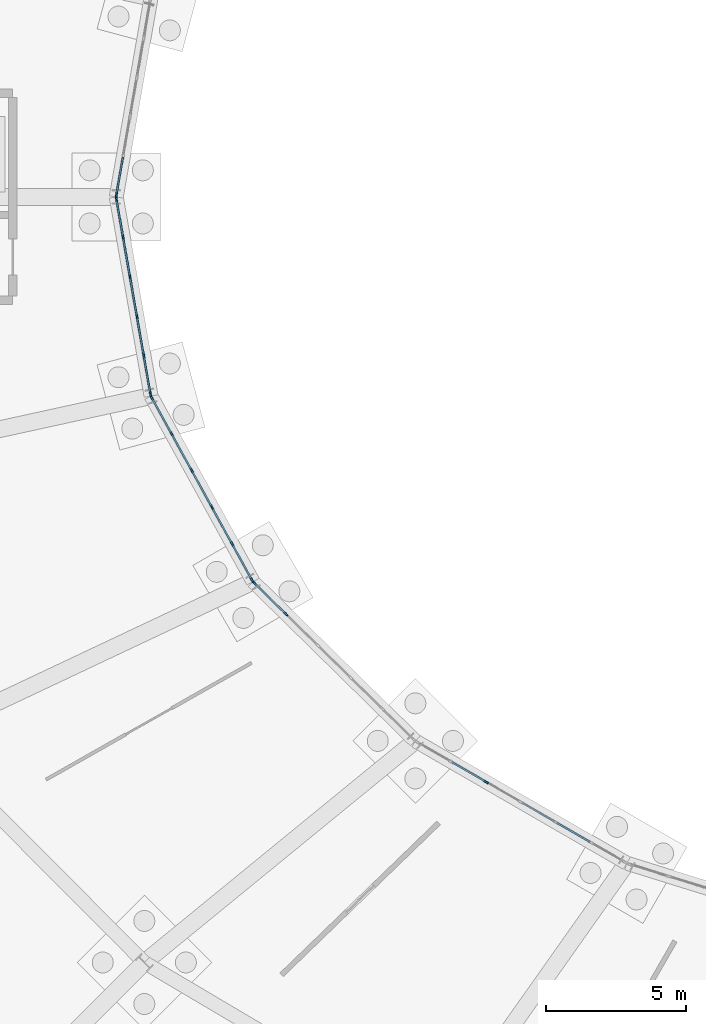
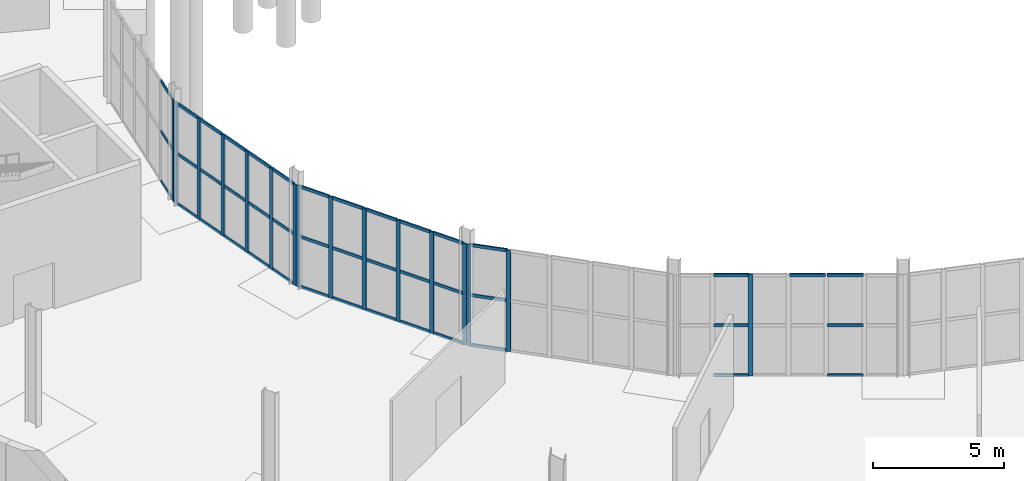
# One storey, part 57 of 118: 59 members, 5 elements without a shape of their own.
"""IFC4 building model written with IfcOpenShell, lengths in metres."""

from ifc_helpers import new_model, si_unit, direction, frame, origin, origin_2d, place, context, subcontext, project, spatial, rectangle, extrude, material, material_profile, profile_set, type_object, element, aggregate, save


model = new_model("IFC4")

# Units and contexts
model_context = context("Model", 3, precision=1e-05, world=origin(), true_north=direction((0.0, 1.0)))
body_context = subcontext(model_context, "Body", "Model", "MODEL_VIEW")
ifc_project = project(units=[si_unit("LENGTHUNIT", "METRE"), si_unit("AREAUNIT", "SQUARE_METRE"), si_unit("VOLUMEUNIT", "CUBIC_METRE"), si_unit("PLANEANGLEUNIT", "RADIAN"), si_unit("MASSUNIT", "GRAM", prefix="KILO")], contexts=[model_context])

# Site, building, storey
site_placement = place(None, origin())
site = spatial("IfcSite", under=ifc_project, at=site_placement, CompositionType="ELEMENT")
building_placement = place(site_placement, origin())
building = spatial("IfcBuilding", under=site, at=building_placement, Name="Kildeholm Park Wholesale Market", CompositionType="ELEMENT")
storey_placement = place(building_placement, origin())
storey = spatial("IfcBuildingStorey", under=building, at=storey_placement, Name="L00", CompositionType="ELEMENT", Elevation=0.0)

# Curtain wall, member
ifc_material_1 = material(Name="Anodised aluminium and low-E double-glazed glass", Category="aluminium")
curtain_wall_type = type_object("IfcCurtainWallType", Name="Market hall glazed arcade stick curtain wall CW-01", PredefinedType="NOTDEFINED", material=ifc_material_1)
curtain_wall_1_placement = place(storey_placement, origin())
curtain_wall_1 = element("IfcCurtainWall", 1, at=curtain_wall_1_placement, inside=storey, type_object=curtain_wall_type, Name="Curtain wall CW-V1-IN0-11 CW-0056", PredefinedType="NOTDEFINED")
ifc_material_2 = material(Name="Anodised aluminium", Category="aluminium")
ifc_material_profile_1 = material_profile(ifc_material_2, rectangle(XDim=0.06494140625, YDim=0.179931640625, at=origin_2d()), Name="CWM 65x180")
ifc_profile_set_1 = profile_set([ifc_material_profile_1], Name="Anodised aluminium")
member_type_1 = type_object("IfcMemberType", Name="Curtain-wall mullion CWM-1 CWM 65x180", PredefinedType="MULLION", material=ifc_profile_set_1)
member_1_placement = place(storey_placement, frame((62.505615234375, 89.572021484375, 0.0), z_axis=(0.0, 0.0, 1.0), x_axis=(0.985073802851, -0.172132515628, 0.0)))
member_1 = element("IfcMember", 2, at=member_1_placement, type_object=member_type_1, Name="CW-01 mullion 6 MEM-1938", PredefinedType="MULLION", context=body_context, shape_type="SweptSolid", body=[
    extrude(rectangle(XDim=0.06494140625, YDim=0.179931640625, at=origin_2d()), origin(), (0.0, 0.0, 1.0), 4.699951171875),
])

# Curtain wall, members
curtain_wall_2_placement = place(storey_placement, origin())
curtain_wall_2 = element("IfcCurtainWall", 3, at=curtain_wall_2_placement, inside=storey, type_object=curtain_wall_type, Name="Curtain wall CW-V1-IN0-12 CW-0061", PredefinedType="NOTDEFINED")
member_2_placement = place(storey_placement, frame((62.505615234375, 89.427978515625, 0.0), z_axis=(0.0, 0.0, 1.0), x_axis=(0.985073802851, 0.172132515628, 0.0)))
member_2 = element("IfcMember", 4, at=member_2_placement, type_object=member_type_1, Name="CW-01 mullion 1 MEM-2058", PredefinedType="MULLION", context=body_context, shape_type="SweptSolid", body=[
    extrude(rectangle(XDim=0.06494140625, YDim=0.179931640625, at=origin_2d()), origin(), (0.0, 0.0, 1.0), 4.699951171875),
])
member_3_placement = place(storey_placement, frame((62.74609375, 88.05224609375, 0.0), z_axis=(0.0, 0.0, 1.0), x_axis=(0.985073802851, 0.172132515628, 0.0)))
member_3 = element("IfcMember", 5, at=member_3_placement, type_object=member_type_1, Name="CW-01 mullion 2 MEM-2059", PredefinedType="MULLION", context=body_context, shape_type="SweptSolid", body=[
    extrude(rectangle(XDim=0.06494140625, YDim=0.179931640625, at=origin_2d()), origin(), (0.0, 0.0, 1.0), 4.699951171875),
])
member_4_placement = place(storey_placement, frame((62.991943359375, 86.644287109375, 0.0), z_axis=(0.0, 0.0, 1.0), x_axis=(0.985073802851, 0.172132515628, 0.0)))
member_4 = element("IfcMember", 6, at=member_4_placement, type_object=member_type_1, Name="CW-01 mullion 3 MEM-2060", PredefinedType="MULLION", context=body_context, shape_type="SweptSolid", body=[
    extrude(rectangle(XDim=0.06494140625, YDim=0.179931640625, at=origin_2d()), origin(), (0.0, 0.0, 1.0), 4.699951171875),
])
member_5_placement = place(storey_placement, frame((63.238037109375, 85.236572265625, 0.0), z_axis=(0.0, 0.0, 1.0), x_axis=(0.985073802851, 0.172132515628, 0.0)))
member_5 = element("IfcMember", 7, at=member_5_placement, type_object=member_type_1, Name="CW-01 mullion 4 MEM-2061", PredefinedType="MULLION", context=body_context, shape_type="SweptSolid", body=[
    extrude(rectangle(XDim=0.06494140625, YDim=0.179931640625, at=origin_2d()), origin(), (0.0, 0.0, 1.0), 4.699951171875),
])
member_6_placement = place(storey_placement, frame((63.48388671875, 83.828857421875, 0.0), z_axis=(0.0, 0.0, 1.0), x_axis=(0.985073802851, 0.172132515628, 0.0)))
member_6 = element("IfcMember", 8, at=member_6_placement, type_object=member_type_1, Name="CW-01 mullion 5 MEM-2062", PredefinedType="MULLION", context=body_context, shape_type="SweptSolid", body=[
    extrude(rectangle(XDim=0.06494140625, YDim=0.179931640625, at=origin_2d()), origin(), (0.0, 0.0, 1.0), 4.699951171875),
])
member_7_placement = place(storey_placement, frame((63.724365234375, 82.453125, 0.0), z_axis=(0.0, 0.0, 1.0), x_axis=(0.985073802851, 0.172132515628, 0.0)))
member_7 = element("IfcMember", 9, at=member_7_placement, type_object=member_type_1, Name="CW-01 mullion 6 MEM-2063", PredefinedType="MULLION", context=body_context, shape_type="SweptSolid", body=[
    extrude(rectangle(XDim=0.06494140625, YDim=0.179931640625, at=origin_2d()), origin(), (0.0, 0.0, 1.0), 4.699951171875),
])

curtain_wall_3_placement = place(storey_placement, origin())
curtain_wall_3 = element("IfcCurtainWall", 10, at=curtain_wall_3_placement, inside=storey, type_object=curtain_wall_type, Name="Curtain wall CW-V1-IN0-13 CW-0066", PredefinedType="NOTDEFINED")
member_8_placement = place(storey_placement, frame((63.772705078125, 82.317626953125, 0.0), z_axis=(0.0, 0.0, 1.0), x_axis=(0.876308922506, 0.481749595055, 0.0)))
member_8 = element("IfcMember", 11, at=member_8_placement, type_object=member_type_1, Name="CW-01 mullion 1 MEM-2183", PredefinedType="MULLION", context=body_context, shape_type="SweptSolid", body=[
    extrude(rectangle(XDim=0.06494140625, YDim=0.179931640625, at=origin_2d()), origin(), (0.0, 0.0, 1.0), 4.699951171875),
])
member_9_placement = place(storey_placement, frame((64.478515625, 81.033447265625, 0.0), z_axis=(0.0, 0.0, 1.0), x_axis=(0.876308922506, 0.481749595055, 0.0)))
member_9 = element("IfcMember", 12, at=member_9_placement, type_object=member_type_1, Name="CW-01 mullion 2 MEM-2184", PredefinedType="MULLION", context=body_context, shape_type="SweptSolid", body=[
    extrude(rectangle(XDim=0.06494140625, YDim=0.179931640625, at=origin_2d()), origin(), (0.0, 0.0, 1.0), 4.699951171875),
])
member_10_placement = place(storey_placement, frame((65.2001953125, 79.720703125, 0.0), z_axis=(0.0, 0.0, 1.0), x_axis=(0.876308922506, 0.481749595055, 0.0)))
member_10 = element("IfcMember", 13, at=member_10_placement, type_object=member_type_1, Name="CW-01 mullion 3 MEM-2185", PredefinedType="MULLION", context=body_context, shape_type="SweptSolid", body=[
    extrude(rectangle(XDim=0.06494140625, YDim=0.179931640625, at=origin_2d()), origin(), (0.0, 0.0, 1.0), 4.699951171875),
])
member_11_placement = place(storey_placement, frame((65.921875, 78.408203125, 0.0), z_axis=(0.0, 0.0, 1.0), x_axis=(0.876308922506, 0.481749595055, 0.0)))
member_11 = element("IfcMember", 14, at=member_11_placement, type_object=member_type_1, Name="CW-01 mullion 4 MEM-2186", PredefinedType="MULLION", context=body_context, shape_type="SweptSolid", body=[
    extrude(rectangle(XDim=0.06494140625, YDim=0.179931640625, at=origin_2d()), origin(), (0.0, 0.0, 1.0), 4.699951171875),
])
member_12_placement = place(storey_placement, frame((66.643310546875, 77.095703125, 0.0), z_axis=(0.0, 0.0, 1.0), x_axis=(0.876308922506, 0.481749595055, 0.0)))
member_12 = element("IfcMember", 15, at=member_12_placement, type_object=member_type_1, Name="CW-01 mullion 5 MEM-2187", PredefinedType="MULLION", context=body_context, shape_type="SweptSolid", body=[
    extrude(rectangle(XDim=0.06494140625, YDim=0.179931640625, at=origin_2d()), origin(), (0.0, 0.0, 1.0), 4.699951171875),
])
member_13_placement = place(storey_placement, frame((67.349365234375, 75.8115234375, 0.0), z_axis=(0.0, 0.0, 1.0), x_axis=(0.876308922506, 0.481749595055, 0.0)))
member_13 = element("IfcMember", 16, at=member_13_placement, type_object=member_type_1, Name="CW-01 mullion 6 MEM-2188", PredefinedType="MULLION", context=body_context, shape_type="SweptSolid", body=[
    extrude(rectangle(XDim=0.06494140625, YDim=0.179931640625, at=origin_2d()), origin(), (0.0, 0.0, 1.0), 4.699951171875),
])

curtain_wall_4_placement = place(storey_placement, origin())
curtain_wall_4 = element("IfcCurtainWall", 17, at=curtain_wall_4_placement, inside=storey, type_object=curtain_wall_type, Name="Curtain wall CW-V1-IN0-14 CW-0071", PredefinedType="NOTDEFINED")
member_14_placement = place(storey_placement, frame((67.437255859375, 75.6962890625, 0.0), z_axis=(0.0, 0.0, 1.0), x_axis=(0.700616534607, 0.713537995789, 0.0)))
member_14 = element("IfcMember", 18, at=member_14_placement, type_object=member_type_1, Name="CW-01 mullion 1 MEM-2312", PredefinedType="MULLION", context=body_context, shape_type="SweptSolid", body=[
    extrude(rectangle(XDim=0.06494140625, YDim=0.179931640625, at=origin_2d()), origin(), (0.0, 0.0, 1.0), 4.699951171875),
])
member_15_placement = place(storey_placement, frame((68.5625, 74.59130859375, 0.0), z_axis=(0.0, 0.0, 1.0), x_axis=(0.700616534607, 0.713537995789, 0.0)))
member_15 = element("IfcMember", 19, at=member_15_placement, type_object=member_type_1, Name="CW-01 mullion 2 MEM-2313", PredefinedType="MULLION", context=body_context, shape_type="SweptSolid", body=[
    extrude(rectangle(XDim=0.06494140625, YDim=0.179931640625, at=origin_2d()), origin(), (0.0, 0.0, 1.0), 4.699951171875),
])

# Curtain wall, member
curtain_wall_5_placement = place(storey_placement, origin())
curtain_wall_5 = element("IfcCurtainWall", 20, at=curtain_wall_5_placement, inside=storey, type_object=curtain_wall_type, Name="Curtain wall CW-V1-IN0-15 CW-0076", PredefinedType="NOTDEFINED")
member_16_placement = place(storey_placement, frame((75.71875, 68.587646484375, 0.0), z_axis=(0.0, 0.0, 1.0), x_axis=(0.500489412982, 0.865742656621, 0.0)))
member_16 = element("IfcMember", 21, at=member_16_placement, type_object=member_type_1, Name="CW-01 mullion 3 MEM-2447", PredefinedType="MULLION", context=body_context, shape_type="SweptSolid", body=[
    extrude(rectangle(XDim=0.06494140625, YDim=0.179931640625, at=origin_2d()), origin(), (0.0, 0.0, 1.0), 4.699951171875),
])

# Member
ifc_material_profile_2 = material_profile(ifc_material_2, rectangle(XDim=0.06494140625, YDim=0.139892578125, at=origin_2d()), Name="CWT 65x140")
ifc_profile_set_2 = profile_set([ifc_material_profile_2], Name="Anodised aluminium")
member_type_2 = type_object("IfcMemberType", Name="Curtain-wall transom CWT-1 CWT 65x140", PredefinedType="USERDEFINED", material=ifc_profile_set_2)
member_17_placement = place(storey_placement, frame((62.740478515625, 90.915771484375, 0.032470703125), z_axis=(-0.172153518423, -0.985070132577, 0.0), x_axis=(0.985070132577, -0.172153518423, 0.0)))
member_17 = element("IfcMember", 22, at=member_17_placement, type_object=member_type_2, Name="CW-01 transom 5.1 MEM-1951", ObjectType="TRANSOM", PredefinedType="USERDEFINED", context=body_context, shape_type="SweptSolid", body=[
    extrude(rectangle(XDim=0.06494140625, YDim=0.139892578125, at=origin_2d()), origin(), (0.0, 0.0, 1.0), 1.33154296875),
])

member_18_placement = place(storey_placement, frame((62.740478515625, 90.915771484375, 2.35009765625), z_axis=(-0.172153518423, -0.985070132577, 0.0), x_axis=(0.985070132577, -0.172153518423, 0.0)))
member_18 = element("IfcMember", 23, at=member_18_placement, type_object=member_type_2, Name="CW-01 transom 5.2 MEM-1952", ObjectType="TRANSOM", PredefinedType="USERDEFINED", context=body_context, shape_type="SweptSolid", body=[
    extrude(rectangle(XDim=0.06494140625, YDim=0.139892578125, at=origin_2d()), origin(), (0.0, 0.0, 1.0), 1.33154296875),
])

member_19_placement = place(storey_placement, frame((62.740478515625, 90.915771484375, 4.66748046875), z_axis=(-0.172153518423, -0.985070132577, 0.0), x_axis=(0.985070132577, -0.172153518423, 0.0)))
member_19 = element("IfcMember", 24, at=member_19_placement, type_object=member_type_2, Name="CW-01 transom 5.3 MEM-1953", ObjectType="TRANSOM", PredefinedType="USERDEFINED", context=body_context, shape_type="SweptSolid", body=[
    extrude(rectangle(XDim=0.06494140625, YDim=0.139892578125, at=origin_2d()), origin(), (0.0, 0.0, 1.0), 1.33154296875),
])

aggregate(curtain_wall_1, [member_1, member_17, member_18, member_19])

member_20_placement = place(storey_placement, frame((62.51123046875, 89.39599609375, 0.032470703125), z_axis=(0.172153518423, -0.985070132577, 0.0), x_axis=(0.985070132577, 0.172153518423, 0.0)))
member_20 = element("IfcMember", 25, at=member_20_placement, type_object=member_type_2, Name="CW-01 transom 1.1 MEM-2064", ObjectType="TRANSOM", PredefinedType="USERDEFINED", context=body_context, shape_type="SweptSolid", body=[
    extrude(rectangle(XDim=0.06494140625, YDim=0.139892578125, at=origin_2d()), origin(), (0.0, 0.0, 1.0), 1.33154296875),
])

member_21_placement = place(storey_placement, frame((62.51123046875, 89.39599609375, 2.35009765625), z_axis=(0.172153518423, -0.985070132577, 0.0), x_axis=(0.985070132577, 0.172153518423, 0.0)))
member_21 = element("IfcMember", 26, at=member_21_placement, type_object=member_type_2, Name="CW-01 transom 1.2 MEM-2065", ObjectType="TRANSOM", PredefinedType="USERDEFINED", context=body_context, shape_type="SweptSolid", body=[
    extrude(rectangle(XDim=0.06494140625, YDim=0.139892578125, at=origin_2d()), origin(), (0.0, 0.0, 1.0), 1.33154296875),
])

member_22_placement = place(storey_placement, frame((62.51123046875, 89.39599609375, 4.66748046875), z_axis=(0.172153518423, -0.985070132577, 0.0), x_axis=(0.985070132577, 0.172153518423, 0.0)))
member_22 = element("IfcMember", 27, at=member_22_placement, type_object=member_type_2, Name="CW-01 transom 1.3 MEM-2066", ObjectType="TRANSOM", PredefinedType="USERDEFINED", context=body_context, shape_type="SweptSolid", body=[
    extrude(rectangle(XDim=0.06494140625, YDim=0.139892578125, at=origin_2d()), origin(), (0.0, 0.0, 1.0), 1.33154296875),
])

member_23_placement = place(storey_placement, frame((62.751708984375, 88.020263671875, 0.032470703125), z_axis=(0.171998266599, -0.985097252197, 0.0), x_axis=(0.985097252197, 0.171998266599, 0.0)))
member_23 = element("IfcMember", 28, at=member_23_placement, type_object=member_type_2, Name="CW-01 transom 2.1 MEM-2067", ObjectType="TRANSOM", PredefinedType="USERDEFINED", context=body_context, shape_type="SweptSolid", body=[
    extrude(rectangle(XDim=0.06494140625, YDim=0.139892578125, at=origin_2d()), origin(), (0.0, 0.0, 1.0), 1.364013671875),
])

member_24_placement = place(storey_placement, frame((62.751708984375, 88.020263671875, 2.35009765625), z_axis=(0.171998266599, -0.985097252197, 0.0), x_axis=(0.985097252197, 0.171998266599, 0.0)))
member_24 = element("IfcMember", 29, at=member_24_placement, type_object=member_type_2, Name="CW-01 transom 2.2 MEM-2068", ObjectType="TRANSOM", PredefinedType="USERDEFINED", context=body_context, shape_type="SweptSolid", body=[
    extrude(rectangle(XDim=0.06494140625, YDim=0.139892578125, at=origin_2d()), origin(), (0.0, 0.0, 1.0), 1.364013671875),
])

member_25_placement = place(storey_placement, frame((62.751708984375, 88.020263671875, 4.66748046875), z_axis=(0.171998266599, -0.985097252197, 0.0), x_axis=(0.985097252197, 0.171998266599, 0.0)))
member_25 = element("IfcMember", 30, at=member_25_placement, type_object=member_type_2, Name="CW-01 transom 2.3 MEM-2069", ObjectType="TRANSOM", PredefinedType="USERDEFINED", context=body_context, shape_type="SweptSolid", body=[
    extrude(rectangle(XDim=0.06494140625, YDim=0.139892578125, at=origin_2d()), origin(), (0.0, 0.0, 1.0), 1.364013671875),
])

member_26_placement = place(storey_placement, frame((62.99755859375, 86.6123046875, 0.032470703125), z_axis=(0.172171942211, -0.985066912608, 0.0), x_axis=(0.985066912608, 0.172171942211, 0.0)))
member_26 = element("IfcMember", 31, at=member_26_placement, type_object=member_type_2, Name="CW-01 transom 3.1 MEM-2070", ObjectType="TRANSOM", PredefinedType="USERDEFINED", context=body_context, shape_type="SweptSolid", body=[
    extrude(rectangle(XDim=0.06494140625, YDim=0.139892578125, at=origin_2d()), origin(), (0.0, 0.0, 1.0), 1.364013671875),
])

member_27_placement = place(storey_placement, frame((62.99755859375, 86.6123046875, 2.35009765625), z_axis=(0.172171942211, -0.985066912608, 0.0), x_axis=(0.985066912608, 0.172171942211, 0.0)))
member_27 = element("IfcMember", 32, at=member_27_placement, type_object=member_type_2, Name="CW-01 transom 3.2 MEM-2071", ObjectType="TRANSOM", PredefinedType="USERDEFINED", context=body_context, shape_type="SweptSolid", body=[
    extrude(rectangle(XDim=0.06494140625, YDim=0.139892578125, at=origin_2d()), origin(), (0.0, 0.0, 1.0), 1.364013671875),
])

member_28_placement = place(storey_placement, frame((62.99755859375, 86.6123046875, 4.66748046875), z_axis=(0.172171942211, -0.985066912608, 0.0), x_axis=(0.985066912608, 0.172171942211, 0.0)))
member_28 = element("IfcMember", 33, at=member_28_placement, type_object=member_type_2, Name="CW-01 transom 3.3 MEM-2072", ObjectType="TRANSOM", PredefinedType="USERDEFINED", context=body_context, shape_type="SweptSolid", body=[
    extrude(rectangle(XDim=0.06494140625, YDim=0.139892578125, at=origin_2d()), origin(), (0.0, 0.0, 1.0), 1.364013671875),
])

member_29_placement = place(storey_placement, frame((63.24365234375, 85.20458984375, 0.032470703125), z_axis=(0.172171942211, -0.985066912608, 0.0), x_axis=(0.985066912608, 0.172171942211, 0.0)))
member_29 = element("IfcMember", 34, at=member_29_placement, type_object=member_type_2, Name="CW-01 transom 4.1 MEM-2073", ObjectType="TRANSOM", PredefinedType="USERDEFINED", context=body_context, shape_type="SweptSolid", body=[
    extrude(rectangle(XDim=0.06494140625, YDim=0.139892578125, at=origin_2d()), origin(), (0.0, 0.0, 1.0), 1.364013671875),
])

member_30_placement = place(storey_placement, frame((63.24365234375, 85.20458984375, 2.35009765625), z_axis=(0.172171942211, -0.985066912608, 0.0), x_axis=(0.985066912608, 0.172171942211, 0.0)))
member_30 = element("IfcMember", 35, at=member_30_placement, type_object=member_type_2, Name="CW-01 transom 4.2 MEM-2074", ObjectType="TRANSOM", PredefinedType="USERDEFINED", context=body_context, shape_type="SweptSolid", body=[
    extrude(rectangle(XDim=0.06494140625, YDim=0.139892578125, at=origin_2d()), origin(), (0.0, 0.0, 1.0), 1.364013671875),
])

member_31_placement = place(storey_placement, frame((63.24365234375, 85.20458984375, 4.66748046875), z_axis=(0.172171942211, -0.985066912608, 0.0), x_axis=(0.985066912608, 0.172171942211, 0.0)))
member_31 = element("IfcMember", 36, at=member_31_placement, type_object=member_type_2, Name="CW-01 transom 4.3 MEM-2075", ObjectType="TRANSOM", PredefinedType="USERDEFINED", context=body_context, shape_type="SweptSolid", body=[
    extrude(rectangle(XDim=0.06494140625, YDim=0.139892578125, at=origin_2d()), origin(), (0.0, 0.0, 1.0), 1.364013671875),
])

member_32_placement = place(storey_placement, frame((63.489501953125, 83.796875, 0.032470703125), z_axis=(0.172153518423, -0.985070132577, 0.0), x_axis=(0.985070132577, 0.172153518423, 0.0)))
member_32 = element("IfcMember", 37, at=member_32_placement, type_object=member_type_2, Name="CW-01 transom 5.1 MEM-2076", ObjectType="TRANSOM", PredefinedType="USERDEFINED", context=body_context, shape_type="SweptSolid", body=[
    extrude(rectangle(XDim=0.06494140625, YDim=0.139892578125, at=origin_2d()), origin(), (0.0, 0.0, 1.0), 1.33154296875),
])

member_33_placement = place(storey_placement, frame((63.489501953125, 83.796875, 2.35009765625), z_axis=(0.172153518423, -0.985070132577, 0.0), x_axis=(0.985070132577, 0.172153518423, 0.0)))
member_33 = element("IfcMember", 38, at=member_33_placement, type_object=member_type_2, Name="CW-01 transom 5.2 MEM-2077", ObjectType="TRANSOM", PredefinedType="USERDEFINED", context=body_context, shape_type="SweptSolid", body=[
    extrude(rectangle(XDim=0.06494140625, YDim=0.139892578125, at=origin_2d()), origin(), (0.0, 0.0, 1.0), 1.33154296875),
])

member_34_placement = place(storey_placement, frame((63.489501953125, 83.796875, 4.66748046875), z_axis=(0.172153518423, -0.985070132577, 0.0), x_axis=(0.985070132577, 0.172153518423, 0.0)))
member_34 = element("IfcMember", 39, at=member_34_placement, type_object=member_type_2, Name="CW-01 transom 5.3 MEM-2078", ObjectType="TRANSOM", PredefinedType="USERDEFINED", context=body_context, shape_type="SweptSolid", body=[
    extrude(rectangle(XDim=0.06494140625, YDim=0.139892578125, at=origin_2d()), origin(), (0.0, 0.0, 1.0), 1.33154296875),
])

aggregate(curtain_wall_2, [member_2, member_3, member_4, member_5, member_6, member_7, member_20, member_21, member_22, member_23, member_24, member_25, member_26, member_27, member_28, member_29, member_30, member_31, member_32, member_33, member_34])

member_35_placement = place(storey_placement, frame((63.788330078125, 82.2890625, 0.032470703125), z_axis=(0.481671123072, -0.876352057793, 0.0), x_axis=(0.876352057793, 0.481671123072, 0.0)))
member_35 = element("IfcMember", 40, at=member_35_placement, type_object=member_type_2, Name="CW-01 transom 1.1 MEM-2189", ObjectType="TRANSOM", PredefinedType="USERDEFINED", context=body_context, shape_type="SweptSolid", body=[
    extrude(rectangle(XDim=0.06494140625, YDim=0.139892578125, at=origin_2d()), origin(), (0.0, 0.0, 1.0), 1.400390625),
])

member_36_placement = place(storey_placement, frame((63.788330078125, 82.2890625, 2.35009765625), z_axis=(0.481671123072, -0.876352057793, 0.0), x_axis=(0.876352057793, 0.481671123072, 0.0)))
member_36 = element("IfcMember", 41, at=member_36_placement, type_object=member_type_2, Name="CW-01 transom 1.2 MEM-2190", ObjectType="TRANSOM", PredefinedType="USERDEFINED", context=body_context, shape_type="SweptSolid", body=[
    extrude(rectangle(XDim=0.06494140625, YDim=0.139892578125, at=origin_2d()), origin(), (0.0, 0.0, 1.0), 1.400390625),
])

member_37_placement = place(storey_placement, frame((63.788330078125, 82.2890625, 4.66748046875), z_axis=(0.481671123072, -0.876352057793, 0.0), x_axis=(0.876352057793, 0.481671123072, 0.0)))
member_37 = element("IfcMember", 42, at=member_37_placement, type_object=member_type_2, Name="CW-01 transom 1.3 MEM-2191", ObjectType="TRANSOM", PredefinedType="USERDEFINED", context=body_context, shape_type="SweptSolid", body=[
    extrude(rectangle(XDim=0.06494140625, YDim=0.139892578125, at=origin_2d()), origin(), (0.0, 0.0, 1.0), 1.400390625),
])

member_38_placement = place(storey_placement, frame((64.494140625, 81.0048828125, 0.032470703125), z_axis=(0.481833721178, -0.87626266903, 0.0), x_axis=(0.87626266903, 0.481833721178, 0.0)))
member_38 = element("IfcMember", 43, at=member_38_placement, type_object=member_type_2, Name="CW-01 transom 2.1 MEM-2192", ObjectType="TRANSOM", PredefinedType="USERDEFINED", context=body_context, shape_type="SweptSolid", body=[
    extrude(rectangle(XDim=0.06494140625, YDim=0.139892578125, at=origin_2d()), origin(), (0.0, 0.0, 1.0), 1.432861328125),
])

member_39_placement = place(storey_placement, frame((64.494140625, 81.0048828125, 2.35009765625), z_axis=(0.481833721178, -0.87626266903, 0.0), x_axis=(0.87626266903, 0.481833721178, 0.0)))
member_39 = element("IfcMember", 44, at=member_39_placement, type_object=member_type_2, Name="CW-01 transom 2.2 MEM-2193", ObjectType="TRANSOM", PredefinedType="USERDEFINED", context=body_context, shape_type="SweptSolid", body=[
    extrude(rectangle(XDim=0.06494140625, YDim=0.139892578125, at=origin_2d()), origin(), (0.0, 0.0, 1.0), 1.432861328125),
])

member_40_placement = place(storey_placement, frame((64.494140625, 81.0048828125, 4.66748046875), z_axis=(0.481833721178, -0.87626266903, 0.0), x_axis=(0.87626266903, 0.481833721178, 0.0)))
member_40 = element("IfcMember", 45, at=member_40_placement, type_object=member_type_2, Name="CW-01 transom 2.3 MEM-2194", ObjectType="TRANSOM", PredefinedType="USERDEFINED", context=body_context, shape_type="SweptSolid", body=[
    extrude(rectangle(XDim=0.06494140625, YDim=0.139892578125, at=origin_2d()), origin(), (0.0, 0.0, 1.0), 1.432861328125),
])

member_41_placement = place(storey_placement, frame((65.2158203125, 79.6923828125, 0.032470703125), z_axis=(0.481833721178, -0.87626266903, 0.0), x_axis=(0.87626266903, 0.481833721178, 0.0)))
member_41 = element("IfcMember", 46, at=member_41_placement, type_object=member_type_2, Name="CW-01 transom 3.1 MEM-2195", ObjectType="TRANSOM", PredefinedType="USERDEFINED", context=body_context, shape_type="SweptSolid", body=[
    extrude(rectangle(XDim=0.06494140625, YDim=0.139892578125, at=origin_2d()), origin(), (0.0, 0.0, 1.0), 1.432861328125),
])

member_42_placement = place(storey_placement, frame((65.2158203125, 79.6923828125, 2.35009765625), z_axis=(0.481833721178, -0.87626266903, 0.0), x_axis=(0.87626266903, 0.481833721178, 0.0)))
member_42 = element("IfcMember", 47, at=member_42_placement, type_object=member_type_2, Name="CW-01 transom 3.2 MEM-2196", ObjectType="TRANSOM", PredefinedType="USERDEFINED", context=body_context, shape_type="SweptSolid", body=[
    extrude(rectangle(XDim=0.06494140625, YDim=0.139892578125, at=origin_2d()), origin(), (0.0, 0.0, 1.0), 1.432861328125),
])

member_43_placement = place(storey_placement, frame((65.2158203125, 79.6923828125, 4.66748046875), z_axis=(0.481833721178, -0.87626266903, 0.0), x_axis=(0.87626266903, 0.481833721178, 0.0)))
member_43 = element("IfcMember", 48, at=member_43_placement, type_object=member_type_2, Name="CW-01 transom 3.3 MEM-2197", ObjectType="TRANSOM", PredefinedType="USERDEFINED", context=body_context, shape_type="SweptSolid", body=[
    extrude(rectangle(XDim=0.06494140625, YDim=0.139892578125, at=origin_2d()), origin(), (0.0, 0.0, 1.0), 1.432861328125),
])

member_44_placement = place(storey_placement, frame((65.9375, 78.379638671875, 0.032470703125), z_axis=(0.481702881374, -0.876334601665, 0.0), x_axis=(0.876334601665, 0.481702881374, 0.0)))
member_44 = element("IfcMember", 49, at=member_44_placement, type_object=member_type_2, Name="CW-01 transom 4.1 MEM-2198", ObjectType="TRANSOM", PredefinedType="USERDEFINED", context=body_context, shape_type="SweptSolid", body=[
    extrude(rectangle(XDim=0.06494140625, YDim=0.139892578125, at=origin_2d()), origin(), (0.0, 0.0, 1.0), 1.432861328125),
])

member_45_placement = place(storey_placement, frame((65.9375, 78.379638671875, 2.35009765625), z_axis=(0.481702881374, -0.876334601665, 0.0), x_axis=(0.876334601665, 0.481702881374, 0.0)))
member_45 = element("IfcMember", 50, at=member_45_placement, type_object=member_type_2, Name="CW-01 transom 4.2 MEM-2199", ObjectType="TRANSOM", PredefinedType="USERDEFINED", context=body_context, shape_type="SweptSolid", body=[
    extrude(rectangle(XDim=0.06494140625, YDim=0.139892578125, at=origin_2d()), origin(), (0.0, 0.0, 1.0), 1.432861328125),
])

member_46_placement = place(storey_placement, frame((65.9375, 78.379638671875, 4.66748046875), z_axis=(0.481702881374, -0.876334601665, 0.0), x_axis=(0.876334601665, 0.481702881374, 0.0)))
member_46 = element("IfcMember", 51, at=member_46_placement, type_object=member_type_2, Name="CW-01 transom 4.3 MEM-2200", ObjectType="TRANSOM", PredefinedType="USERDEFINED", context=body_context, shape_type="SweptSolid", body=[
    extrude(rectangle(XDim=0.06494140625, YDim=0.139892578125, at=origin_2d()), origin(), (0.0, 0.0, 1.0), 1.432861328125),
])

member_47_placement = place(storey_placement, frame((66.658935546875, 77.067138671875, 0.032470703125), z_axis=(0.481804989675, -0.876278467112, 0.0), x_axis=(0.876278467112, 0.481804989675, 0.0)))
member_47 = element("IfcMember", 52, at=member_47_placement, type_object=member_type_2, Name="CW-01 transom 5.1 MEM-2201", ObjectType="TRANSOM", PredefinedType="USERDEFINED", context=body_context, shape_type="SweptSolid", body=[
    extrude(rectangle(XDim=0.06494140625, YDim=0.139892578125, at=origin_2d()), origin(), (0.0, 0.0, 1.0), 1.400634765625),
])

member_48_placement = place(storey_placement, frame((66.658935546875, 77.067138671875, 2.35009765625), z_axis=(0.481804989675, -0.876278467112, 0.0), x_axis=(0.876278467112, 0.481804989675, 0.0)))
member_48 = element("IfcMember", 53, at=member_48_placement, type_object=member_type_2, Name="CW-01 transom 5.2 MEM-2202", ObjectType="TRANSOM", PredefinedType="USERDEFINED", context=body_context, shape_type="SweptSolid", body=[
    extrude(rectangle(XDim=0.06494140625, YDim=0.139892578125, at=origin_2d()), origin(), (0.0, 0.0, 1.0), 1.400634765625),
])

member_49_placement = place(storey_placement, frame((66.658935546875, 77.067138671875, 4.66748046875), z_axis=(0.481804989675, -0.876278467112, 0.0), x_axis=(0.876278467112, 0.481804989675, 0.0)))
member_49 = element("IfcMember", 54, at=member_49_placement, type_object=member_type_2, Name="CW-01 transom 5.3 MEM-2203", ObjectType="TRANSOM", PredefinedType="USERDEFINED", context=body_context, shape_type="SweptSolid", body=[
    extrude(rectangle(XDim=0.06494140625, YDim=0.139892578125, at=origin_2d()), origin(), (0.0, 0.0, 1.0), 1.400634765625),
])

aggregate(curtain_wall_3, [member_8, member_9, member_10, member_11, member_12, member_13, member_35, member_36, member_37, member_38, member_39, member_40, member_41, member_42, member_43, member_44, member_45, member_46, member_47, member_48, member_49])

member_50_placement = place(storey_placement, frame((67.46044921875, 75.67333984375, 0.032470703125), z_axis=(0.713536084219, -0.700618481427, 0.0), x_axis=(0.700618481427, 0.713536084219, 0.0)))
member_50 = element("IfcMember", 55, at=member_50_placement, type_object=member_type_2, Name="CW-01 transom 1.1 MEM-2318", ObjectType="TRANSOM", PredefinedType="USERDEFINED", context=body_context, shape_type="SweptSolid", body=[
    extrude(rectangle(XDim=0.06494140625, YDim=0.139892578125, at=origin_2d()), origin(), (0.0, 0.0, 1.0), 1.511962890625),
])

member_51_placement = place(storey_placement, frame((67.46044921875, 75.67333984375, 2.35009765625), z_axis=(0.713536084219, -0.700618481427, 0.0), x_axis=(0.700618481427, 0.713536084219, 0.0)))
member_51 = element("IfcMember", 56, at=member_51_placement, type_object=member_type_2, Name="CW-01 transom 1.2 MEM-2319", ObjectType="TRANSOM", PredefinedType="USERDEFINED", context=body_context, shape_type="SweptSolid", body=[
    extrude(rectangle(XDim=0.06494140625, YDim=0.139892578125, at=origin_2d()), origin(), (0.0, 0.0, 1.0), 1.511962890625),
])

member_52_placement = place(storey_placement, frame((67.46044921875, 75.67333984375, 4.66748046875), z_axis=(0.713536084219, -0.700618481427, 0.0), x_axis=(0.700618481427, 0.713536084219, 0.0)))
member_52 = element("IfcMember", 57, at=member_52_placement, type_object=member_type_2, Name="CW-01 transom 1.3 MEM-2320", ObjectType="TRANSOM", PredefinedType="USERDEFINED", context=body_context, shape_type="SweptSolid", body=[
    extrude(rectangle(XDim=0.06494140625, YDim=0.139892578125, at=origin_2d()), origin(), (0.0, 0.0, 1.0), 1.511962890625),
])

aggregate(curtain_wall_4, [member_14, member_15, member_50, member_51, member_52])

member_53_placement = place(storey_placement, frame((74.49853515625, 69.29296875, 0.032470703125), z_axis=(0.86576604618, -0.500448951725, 0.0), x_axis=(0.500448951725, 0.86576604618, 0.0)))
member_53 = element("IfcMember", 58, at=member_53_placement, type_object=member_type_2, Name="CW-01 transom 2.1 MEM-2455", ObjectType="TRANSOM", PredefinedType="USERDEFINED", context=body_context, shape_type="SweptSolid", body=[
    extrude(rectangle(XDim=0.06494140625, YDim=0.139892578125, at=origin_2d()), origin(), (0.0, 0.0, 1.0), 1.376708984375),
])

member_54_placement = place(storey_placement, frame((74.49853515625, 69.29296875, 2.35009765625), z_axis=(0.86576604618, -0.500448951725, 0.0), x_axis=(0.500448951725, 0.86576604618, 0.0)))
member_54 = element("IfcMember", 59, at=member_54_placement, type_object=member_type_2, Name="CW-01 transom 2.2 MEM-2456", ObjectType="TRANSOM", PredefinedType="USERDEFINED", context=body_context, shape_type="SweptSolid", body=[
    extrude(rectangle(XDim=0.06494140625, YDim=0.139892578125, at=origin_2d()), origin(), (0.0, 0.0, 1.0), 1.376708984375),
])

member_55_placement = place(storey_placement, frame((74.49853515625, 69.29296875, 4.66748046875), z_axis=(0.86576604618, -0.500448951725, 0.0), x_axis=(0.500448951725, 0.86576604618, 0.0)))
member_55 = element("IfcMember", 60, at=member_55_placement, type_object=member_type_2, Name="CW-01 transom 2.3 MEM-2457", ObjectType="TRANSOM", PredefinedType="USERDEFINED", context=body_context, shape_type="SweptSolid", body=[
    extrude(rectangle(XDim=0.06494140625, YDim=0.139892578125, at=origin_2d()), origin(), (0.0, 0.0, 1.0), 1.376708984375),
])

member_56_placement = place(storey_placement, frame((76.9951171875, 67.849853515625, 4.66748046875), z_axis=(0.865733630758, -0.500505025523, 0.0), x_axis=(0.500505025523, 0.865733630758, 0.0)))
member_56 = element("IfcMember", 61, at=member_56_placement, type_object=member_type_2, Name="CW-01 transom 4.3 MEM-2463", ObjectType="TRANSOM", PredefinedType="USERDEFINED", context=body_context, shape_type="SweptSolid", body=[
    extrude(rectangle(XDim=0.06494140625, YDim=0.139892578125, at=origin_2d()), origin(), (0.0, 0.0, 1.0), 1.376953125),
])

member_57_placement = place(storey_placement, frame((78.243408203125, 67.128173828125, 0.032470703125), z_axis=(0.865733630758, -0.500505025523, 0.0), x_axis=(0.500505025523, 0.865733630758, 0.0)))
member_57 = element("IfcMember", 62, at=member_57_placement, type_object=member_type_2, Name="CW-01 transom 5.1 MEM-2464", ObjectType="TRANSOM", PredefinedType="USERDEFINED", context=body_context, shape_type="SweptSolid", body=[
    extrude(rectangle(XDim=0.06494140625, YDim=0.139892578125, at=origin_2d()), origin(), (0.0, 0.0, 1.0), 1.376953125),
])

member_58_placement = place(storey_placement, frame((78.243408203125, 67.128173828125, 2.35009765625), z_axis=(0.865733630758, -0.500505025523, 0.0), x_axis=(0.500505025523, 0.865733630758, 0.0)))
member_58 = element("IfcMember", 63, at=member_58_placement, type_object=member_type_2, Name="CW-01 transom 5.2 MEM-2465", ObjectType="TRANSOM", PredefinedType="USERDEFINED", context=body_context, shape_type="SweptSolid", body=[
    extrude(rectangle(XDim=0.06494140625, YDim=0.139892578125, at=origin_2d()), origin(), (0.0, 0.0, 1.0), 1.376953125),
])

member_59_placement = place(storey_placement, frame((78.243408203125, 67.128173828125, 4.66748046875), z_axis=(0.865733630758, -0.500505025523, 0.0), x_axis=(0.500505025523, 0.865733630758, 0.0)))
member_59 = element("IfcMember", 64, at=member_59_placement, type_object=member_type_2, Name="CW-01 transom 5.3 MEM-2466", ObjectType="TRANSOM", PredefinedType="USERDEFINED", context=body_context, shape_type="SweptSolid", body=[
    extrude(rectangle(XDim=0.06494140625, YDim=0.139892578125, at=origin_2d()), origin(), (0.0, 0.0, 1.0), 1.376953125),
])

aggregate(curtain_wall_5, [member_16, member_53, member_54, member_55, member_56, member_57, member_58, member_59])

save(model, "model.ifc")
